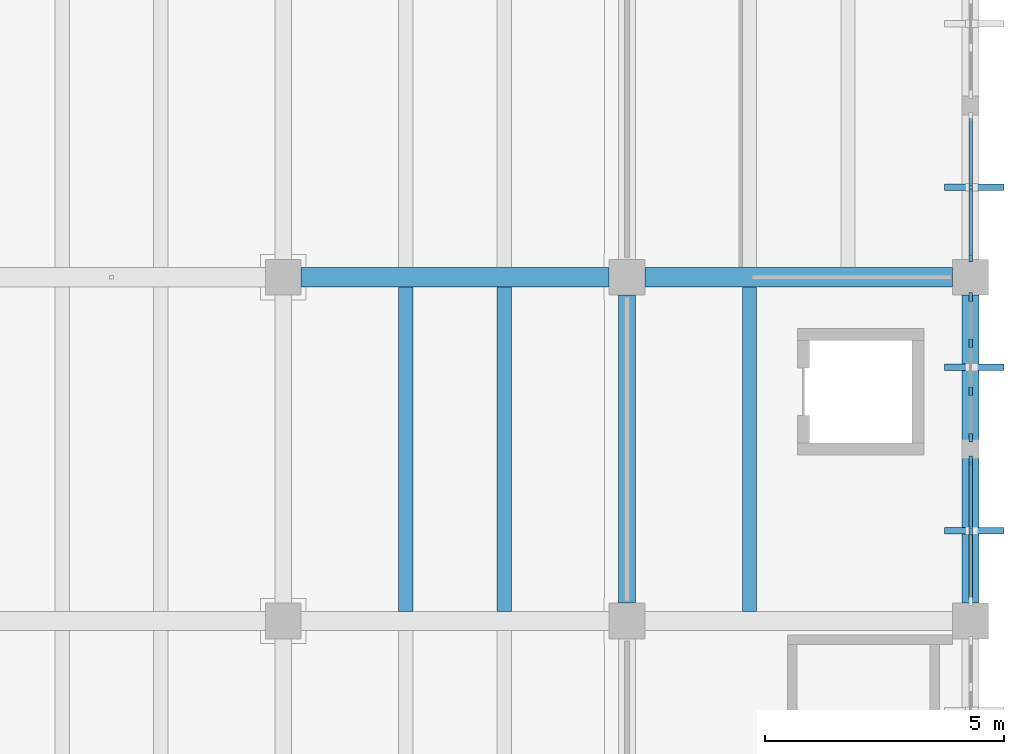
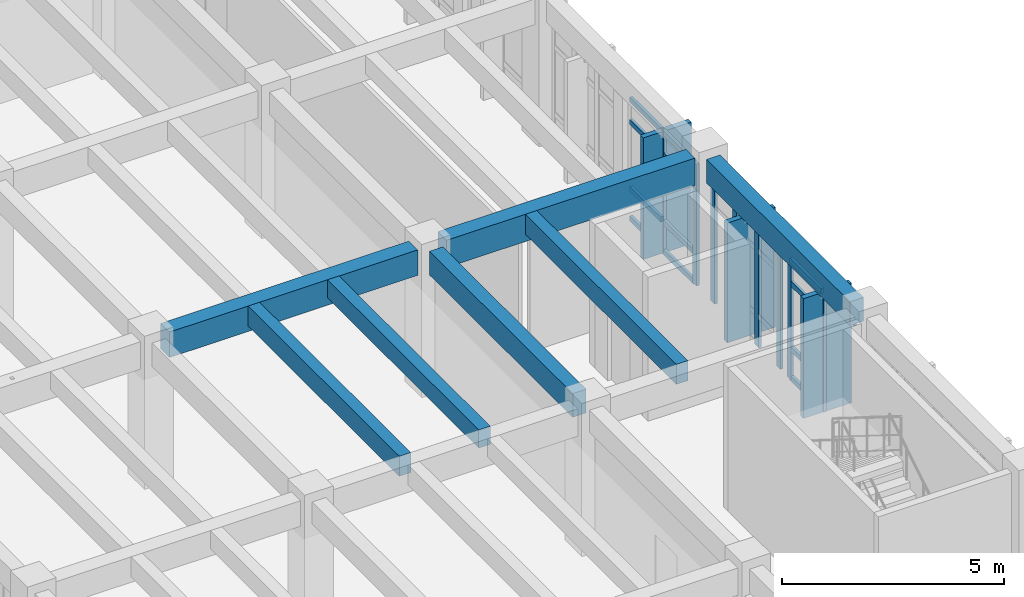
# One storey, part 57 of 136: 24 members, 7 beams, 3 elements without a shape of their own.
"""IFC4 building model written with IfcOpenShell, lengths in metres."""

from ifc_helpers import new_model, si_unit, direction, frame, origin, origin_2d, place, context, subcontext, project, spatial, rectangle, extrude, material, layer, layer_set, material_profile, profile_set, type_object, element, aggregate, save


model = new_model("IFC4")

# Units and contexts
model_context = context("Model", 3, precision=1e-05, world=origin(), true_north=direction((0.0, 1.0)))
body_context = subcontext(model_context, "Body", "Model", "MODEL_VIEW")
ifc_project = project(units=[si_unit("LENGTHUNIT", "METRE"), si_unit("AREAUNIT", "SQUARE_METRE"), si_unit("VOLUMEUNIT", "CUBIC_METRE"), si_unit("PLANEANGLEUNIT", "RADIAN"), si_unit("MASSUNIT", "GRAM", prefix="KILO")], contexts=[model_context])

# Site, building, storey
site_placement = place(None, origin())
site = spatial("IfcSite", under=ifc_project, at=site_placement, CompositionType="ELEMENT")
building_placement = place(site_placement, origin())
building = spatial("IfcBuilding", under=site, at=building_placement, Name="Koriwan Promenade Central Fire Station", CompositionType="ELEMENT")
storey_placement = place(building_placement, frame((0.0, 0.0, 5.39990234375)))
storey = spatial("IfcBuildingStorey", under=building, at=storey_placement, Name="L01", CompositionType="ELEMENT", Elevation=5.39990234375)

# Beams
ifc_material_1 = material(Name="Concrete C35/45", Category="concrete")
ifc_material_profile_1 = material_profile(ifc_material_1, rectangle(XDim=0.300048828125, YDim=0.5, at=origin_2d()), Name="RC-BM-300x500")
ifc_profile_set_1 = profile_set([ifc_material_profile_1], Name="Concrete C35/45")
beam_type_1 = type_object("IfcBeamType", Name="Beam_RC-BM-300x500", PredefinedType="JOIST", material=ifc_profile_set_1)
beam_1_placement = place(storey_placement, frame((163.031982421875, 21.800048828125, 3.7001953125), z_axis=(0.0, 1.0, 0.0), x_axis=(-1.0, 0.0, 0.0)))
element("IfcBeam", 1, at=beam_1_placement, inside=storey, type_object=beam_type_1, Name="V5 L01 secondary joist 717", PredefinedType="JOIST", context=body_context, shape_type="SweptSolid", body=[
    extrude(rectangle(XDim=0.300048828125, YDim=0.5, at=origin_2d()), origin(), (0.0, 0.0, 1.0), 6.800048828125),
])
ifc_material_profile_2 = material_profile(ifc_material_1, rectangle(XDim=0.300048828125, YDim=0.550048828125, at=origin_2d()), Name="RC-BM-300x550")
ifc_profile_set_2 = profile_set([ifc_material_profile_2], Name="Concrete C35/45")
beam_type_2 = type_object("IfcBeamType", Name="Beam_RC-BM-300x550", PredefinedType="JOIST", material=ifc_profile_set_2)
for number, where, z_axis, x_axis, name in (
    (2, (160.968017578125, 21.800048828125, 3.675048828125), (0.0, 1.0, 0.0), (-1.0, 0.0, 0.0), "V5 L01 secondary joist 716"),
    (3, (168.16796875, 21.800048828125, 3.675048828125), (0.0, 1.0, 0.0), (-1.0, 0.0, 0.0), "V5 L01 secondary joist 718"),
):
    element("IfcBeam", number, at=place(storey_placement, frame(where, z_axis=z_axis, x_axis=x_axis)), inside=storey, type_object=beam_type_2, Name=name, PredefinedType="JOIST", context=body_context, shape_type="SweptSolid", body=[
        extrude(rectangle(XDim=0.300048828125, YDim=0.550048828125, at=origin_2d()), origin(), (0.0, 0.0, 1.0), 6.800048828125),
    ])
ifc_material_profile_3 = material_profile(ifc_material_1, rectangle(XDim=0.35009765625, YDim=0.64990234375, at=origin_2d()), Name="RC-BM-350x650")
ifc_profile_set_3 = profile_set([ifc_material_profile_3], Name="Concrete C35/45")
beam_type_3 = type_object("IfcBeamType", Name="Beam_RC-BM-350x650", PredefinedType="BEAM", material=ifc_profile_set_3)
for number, where, z_axis, x_axis, name in (
    (4, (165.60009765625, 21.97509765625, 3.625), (0.0, 1.0, 0.0), (-1.0, 0.0, 0.0), "V5 L01 girder Y-683"),
    (5, (172.800048828125, 21.97509765625, 3.625), (0.0, 1.0, 0.0), (-1.0, 0.0, 0.0), "V5 L01 girder Y-693"),
):
    element("IfcBeam", number, at=place(storey_placement, frame(where, z_axis=z_axis, x_axis=x_axis)), inside=storey, type_object=beam_type_3, Name=name, PredefinedType="BEAM", context=body_context, shape_type="SweptSolid", body=[
        extrude(rectangle(XDim=0.35009765625, YDim=0.64990234375, at=origin_2d()), origin(), (0.0, 0.0, 1.0), 6.449951171875),
    ])
ifc_material_profile_4 = material_profile(ifc_material_1, rectangle(XDim=0.39990234375, YDim=0.699951171875, at=origin_2d()), Name="RC-BM-400x700")
ifc_profile_set_4 = profile_set([ifc_material_profile_4], Name="Concrete C35/45")
beam_type_4 = type_object("IfcBeamType", Name="Beam_RC-BM-400x700", PredefinedType="BEAM", material=ifc_profile_set_4)
beam_2_placement = place(storey_placement, frame((158.77490234375, 28.800048828125, 3.60009765625), z_axis=(1.0, 0.0, 0.0), x_axis=(0.0, 1.0, 0.0)))
element("IfcBeam", 6, at=beam_2_placement, inside=storey, type_object=beam_type_4, Name="V5 L01 girder X-638", PredefinedType="BEAM", context=body_context, shape_type="SweptSolid", body=[
    extrude(rectangle(XDim=0.39990234375, YDim=0.699951171875, at=origin_2d()), origin(), (0.0, 0.0, 1.0), 6.4501953125),
])
ifc_material_profile_5 = material_profile(ifc_material_1, rectangle(XDim=0.39990234375, YDim=0.75, at=origin_2d()), Name="RC-BM-400x750")
ifc_profile_set_5 = profile_set([ifc_material_profile_5], Name="Concrete C35/45")
beam_type_5 = type_object("IfcBeamType", Name="Beam_RC-BM-400x750", PredefinedType="BEAM", material=ifc_profile_set_5)
beam_3_placement = place(storey_placement, frame((165.97509765625, 28.800048828125, 3.5751953125), z_axis=(1.0, 0.0, 0.0), x_axis=(0.0, 1.0, 0.0)))
element("IfcBeam", 7, at=beam_3_placement, inside=storey, type_object=beam_type_5, Name="V5 L01 girder X-639", PredefinedType="BEAM", context=body_context, shape_type="SweptSolid", body=[
    extrude(rectangle(XDim=0.39990234375, YDim=0.75, at=origin_2d()), origin(), (0.0, 0.0, 1.0), 6.449951171875),
])

# Curtain wall, members
ifc_material_2 = material(Name="Aluminium EN AW-6063-T6 and low-E glazing", Category="aluminium")
ifc_layer_1 = layer(ifc_material_2, 0.159912109375, Name="Aluminium EN AW-6063-T6 and low-E glazing")
ifc_layer_set_1 = layer_set([ifc_layer_1], Name="Aluminium EN AW-6063-T6 and low-E glazing")
curtain_wall_type_1 = type_object("IfcCurtainWallType", Name="CurtainWall_64_303x334", PredefinedType="USERDEFINED", material=ifc_layer_set_1)
curtain_wall_1_placement = place(storey_placement, origin())
curtain_wall_1 = element("IfcCurtainWall", 8, at=curtain_wall_1_placement, inside=storey, type_object=curtain_wall_type_1, Name="V5 L01 unitised curtain wall 200", ObjectType="UNITISED CURTAIN WALL", PredefinedType="USERDEFINED")
ifc_material_3 = material(Name="Aluminium EN AW-6063-T6", Category="aluminium")
ifc_material_profile_6 = material_profile(ifc_material_3, rectangle(XDim=0.074951171875, YDim=0.179931640625, at=origin_2d()), Name="ALU-MUL-75x180")
ifc_profile_set_6 = profile_set([ifc_material_profile_6], Name="Aluminium EN AW-6063-T6")
member_type_1 = type_object("IfcMemberType", Name="CWMullion_ALU-MUL-75x180", PredefinedType="MULLION", material=ifc_profile_set_6)
member_1_placement = place(storey_placement, frame((172.800048828125, 30.6875, 0.0), z_axis=(0.0, 0.0, 1.0), x_axis=(1.0, 0.0, 0.0)))
member_1 = element("IfcMember", 9, at=member_1_placement, type_object=member_type_1, Name="CW-64 mullion 2", PredefinedType="MULLION", context=body_context, shape_type="SweptSolid", body=[
    extrude(rectangle(XDim=0.074951171875, YDim=0.179931640625, at=origin_2d()), origin(), (0.0, 0.0, 1.0), 3.340087890625),
])
member_2_placement = place(storey_placement, frame((172.800048828125, 29.21240234375, 0.0), z_axis=(0.0, 0.0, 1.0), x_axis=(1.0, 0.0, 0.0)))
member_2 = element("IfcMember", 10, at=member_2_placement, type_object=member_type_1, Name="CW-64 mullion 3", PredefinedType="MULLION", context=body_context, shape_type="SweptSolid", body=[
    extrude(rectangle(XDim=0.074951171875, YDim=0.179931640625, at=origin_2d()), origin(), (0.0, 0.0, 1.0), 3.340087890625),
])

ifc_layer_2 = layer(ifc_material_2, 0.159912109375, Name="Aluminium EN AW-6063-T6 and low-E glazing")
ifc_layer_set_2 = layer_set([ifc_layer_2], Name="Aluminium EN AW-6063-T6 and low-E glazing")
curtain_wall_type_2 = type_object("IfcCurtainWallType", Name="CurtainWall_61_303x329", PredefinedType="USERDEFINED", material=ifc_layer_set_2)
curtain_wall_2_placement = place(storey_placement, origin())
curtain_wall_2 = element("IfcCurtainWall", 11, at=curtain_wall_2_placement, inside=storey, type_object=curtain_wall_type_2, Name="V5 L01 unitised curtain wall 201", ObjectType="UNITISED CURTAIN WALL", PredefinedType="USERDEFINED")
member_3_placement = place(storey_placement, frame((172.800048828125, 28.387451171875, 0.0), z_axis=(0.0, 0.0, 1.0), x_axis=(1.0, 0.0, 0.0)))
member_3 = element("IfcMember", 12, at=member_3_placement, type_object=member_type_1, Name="CW-61 mullion 1", PredefinedType="MULLION", context=body_context, shape_type="SweptSolid", body=[
    extrude(rectangle(XDim=0.074951171875, YDim=0.179931640625, at=origin_2d()), origin(), (0.0, 0.0, 1.0), 3.2900390625),
])
member_4_placement = place(storey_placement, frame((172.800048828125, 27.416748046875, 0.0), z_axis=(0.0, 0.0, 1.0), x_axis=(1.0, 0.0, 0.0)))
member_4 = element("IfcMember", 13, at=member_4_placement, type_object=member_type_1, Name="CW-61 mullion 2", PredefinedType="MULLION", context=body_context, shape_type="SweptSolid", body=[
    extrude(rectangle(XDim=0.074951171875, YDim=0.179931640625, at=origin_2d()), origin(), (0.0, 0.0, 1.0), 3.2900390625),
])
member_5_placement = place(storey_placement, frame((172.800048828125, 26.408447265625, 0.0), z_axis=(0.0, 0.0, 1.0), x_axis=(1.0, 0.0, 0.0)))
member_5 = element("IfcMember", 14, at=member_5_placement, type_object=member_type_1, Name="CW-61 mullion 3", PredefinedType="MULLION", context=body_context, shape_type="SweptSolid", body=[
    extrude(rectangle(XDim=0.074951171875, YDim=0.179931640625, at=origin_2d()), origin(), (0.0, 0.0, 1.0), 3.2900390625),
])
member_6_placement = place(storey_placement, frame((172.800048828125, 25.4375, 0.0), z_axis=(0.0, 0.0, 1.0), x_axis=(1.0, 0.0, 0.0)))
member_6 = element("IfcMember", 15, at=member_6_placement, type_object=member_type_1, Name="CW-61 mullion 4", PredefinedType="MULLION", context=body_context, shape_type="SweptSolid", body=[
    extrude(rectangle(XDim=0.074951171875, YDim=0.179931640625, at=origin_2d()), origin(), (0.0, 0.0, 1.0), 3.2900390625),
])
aggregate(curtain_wall_2, [member_3, member_4, member_5, member_6])

ifc_layer_3 = layer(ifc_material_2, 0.159912109375, Name="Aluminium EN AW-6063-T6 and low-E glazing")
ifc_layer_set_3 = layer_set([ifc_layer_3], Name="Aluminium EN AW-6063-T6 and low-E glazing")
curtain_wall_type_3 = type_object("IfcCurtainWallType", Name="CurtainWall_07_302x329", PredefinedType="USERDEFINED", material=ifc_layer_set_3)
curtain_wall_3_placement = place(storey_placement, origin())
curtain_wall_3 = element("IfcCurtainWall", 16, at=curtain_wall_3_placement, inside=storey, type_object=curtain_wall_type_3, Name="V5 L01 unitised curtain wall 202", ObjectType="UNITISED CURTAIN WALL", PredefinedType="USERDEFINED")
member_7_placement = place(storey_placement, frame((172.800048828125, 24.96240234375, 0.0), z_axis=(0.0, 0.0, 1.0), x_axis=(1.0, 0.0, 0.0)))
member_7 = element("IfcMember", 17, at=member_7_placement, type_object=member_type_1, Name="CW-07 mullion 1", PredefinedType="MULLION", context=body_context, shape_type="SweptSolid", body=[
    extrude(rectangle(XDim=0.074951171875, YDim=0.179931640625, at=origin_2d()), origin(), (0.0, 0.0, 1.0), 3.2900390625),
])
member_8_placement = place(storey_placement, frame((172.800048828125, 23.487548828125, 0.0), z_axis=(0.0, 0.0, 1.0), x_axis=(1.0, 0.0, 0.0)))
member_8 = element("IfcMember", 18, at=member_8_placement, type_object=member_type_1, Name="CW-07 mullion 2", PredefinedType="MULLION", context=body_context, shape_type="SweptSolid", body=[
    extrude(rectangle(XDim=0.074951171875, YDim=0.179931640625, at=origin_2d()), origin(), (0.0, 0.0, 1.0), 3.2900390625),
])

# Member
ifc_material_profile_7 = material_profile(ifc_material_3, rectangle(XDim=0.074951171875, YDim=0.139892578125, at=origin_2d()), Name="ALU-TRN-75x140")
ifc_profile_set_7 = profile_set([ifc_material_profile_7], Name="Aluminium EN AW-6063-T6")
member_type_2 = type_object("IfcMemberType", Name="CWTransom_ALU-TRN-75x140", PredefinedType="USERDEFINED", material=ifc_profile_set_7)
member_9_placement = place(storey_placement, frame((172.800048828125, 32.125, 0.03759765625), z_axis=(0.0, -1.0, 0.0), x_axis=(1.0, 0.0, 0.0)))
member_9 = element("IfcMember", 19, at=member_9_placement, type_object=member_type_2, Name="CW-64 transom 1.1", ObjectType="TRANSOM", PredefinedType="USERDEFINED", context=body_context, shape_type="SweptSolid", body=[
    extrude(rectangle(XDim=0.074951171875, YDim=0.139892578125, at=origin_2d()), origin(), (0.0, 0.0, 1.0), 1.39990234375),
])

member_10_placement = place(storey_placement, frame((172.800048828125, 32.125, 0.85009765625), z_axis=(0.0, -1.0, 0.0), x_axis=(1.0, 0.0, 0.0)))
member_10 = element("IfcMember", 20, at=member_10_placement, type_object=member_type_2, Name="CW-64 transom 1.2", ObjectType="TRANSOM", PredefinedType="USERDEFINED", context=body_context, shape_type="SweptSolid", body=[
    extrude(rectangle(XDim=0.074951171875, YDim=0.139892578125, at=origin_2d()), origin(), (0.0, 0.0, 1.0), 1.39990234375),
])

member_11_placement = place(storey_placement, frame((172.800048828125, 32.125, 2.690185546875), z_axis=(0.0, -1.0, 0.0), x_axis=(1.0, 0.0, 0.0)))
member_11 = element("IfcMember", 21, at=member_11_placement, type_object=member_type_2, Name="CW-64 transom 1.3", ObjectType="TRANSOM", PredefinedType="USERDEFINED", context=body_context, shape_type="SweptSolid", body=[
    extrude(rectangle(XDim=0.074951171875, YDim=0.139892578125, at=origin_2d()), origin(), (0.0, 0.0, 1.0), 1.39990234375),
])

member_12_placement = place(storey_placement, frame((172.800048828125, 32.125, 3.302490234375), z_axis=(0.0, -1.0, 0.0), x_axis=(1.0, 0.0, 0.0)))
member_12 = element("IfcMember", 22, at=member_12_placement, type_object=member_type_2, Name="CW-64 transom 1.4", ObjectType="TRANSOM", PredefinedType="USERDEFINED", context=body_context, shape_type="SweptSolid", body=[
    extrude(rectangle(XDim=0.074951171875, YDim=0.139892578125, at=origin_2d()), origin(), (0.0, 0.0, 1.0), 1.39990234375),
])

member_13_placement = place(storey_placement, frame((172.800048828125, 30.64990234375, 0.03759765625), z_axis=(0.0, -1.0, 0.0), x_axis=(1.0, 0.0, 0.0)))
member_13 = element("IfcMember", 23, at=member_13_placement, type_object=member_type_2, Name="CW-64 transom 2.1", ObjectType="TRANSOM", PredefinedType="USERDEFINED", context=body_context, shape_type="SweptSolid", body=[
    extrude(rectangle(XDim=0.074951171875, YDim=0.139892578125, at=origin_2d()), origin(), (0.0, 0.0, 1.0), 1.39990234375),
])

member_14_placement = place(storey_placement, frame((172.800048828125, 30.64990234375, 0.85009765625), z_axis=(0.0, -1.0, 0.0), x_axis=(1.0, 0.0, 0.0)))
member_14 = element("IfcMember", 24, at=member_14_placement, type_object=member_type_2, Name="CW-64 transom 2.2", ObjectType="TRANSOM", PredefinedType="USERDEFINED", context=body_context, shape_type="SweptSolid", body=[
    extrude(rectangle(XDim=0.074951171875, YDim=0.139892578125, at=origin_2d()), origin(), (0.0, 0.0, 1.0), 1.39990234375),
])

member_15_placement = place(storey_placement, frame((172.800048828125, 30.64990234375, 2.690185546875), z_axis=(0.0, -1.0, 0.0), x_axis=(1.0, 0.0, 0.0)))
member_15 = element("IfcMember", 25, at=member_15_placement, type_object=member_type_2, Name="CW-64 transom 2.3", ObjectType="TRANSOM", PredefinedType="USERDEFINED", context=body_context, shape_type="SweptSolid", body=[
    extrude(rectangle(XDim=0.074951171875, YDim=0.139892578125, at=origin_2d()), origin(), (0.0, 0.0, 1.0), 1.39990234375),
])

member_16_placement = place(storey_placement, frame((172.800048828125, 30.64990234375, 3.302490234375), z_axis=(0.0, -1.0, 0.0), x_axis=(1.0, 0.0, 0.0)))
member_16 = element("IfcMember", 26, at=member_16_placement, type_object=member_type_2, Name="CW-64 transom 2.4", ObjectType="TRANSOM", PredefinedType="USERDEFINED", context=body_context, shape_type="SweptSolid", body=[
    extrude(rectangle(XDim=0.074951171875, YDim=0.139892578125, at=origin_2d()), origin(), (0.0, 0.0, 1.0), 1.39990234375),
])

aggregate(curtain_wall_1, [member_1, member_2, member_9, member_10, member_11, member_12, member_13, member_14, member_15, member_16])

member_17_placement = place(storey_placement, frame((172.800048828125, 24.925048828125, 0.03759765625), z_axis=(0.0, -1.0, 0.0), x_axis=(1.0, 0.0, 0.0)))
member_17 = element("IfcMember", 27, at=member_17_placement, type_object=member_type_2, Name="CW-07 transom 1.1", ObjectType="TRANSOM", PredefinedType="USERDEFINED", context=body_context, shape_type="SweptSolid", body=[
    extrude(rectangle(XDim=0.074951171875, YDim=0.139892578125, at=origin_2d()), origin(), (0.0, 0.0, 1.0), 1.400146484375),
])

member_18_placement = place(storey_placement, frame((172.800048828125, 24.925048828125, 0.85009765625), z_axis=(0.0, -1.0, 0.0), x_axis=(1.0, 0.0, 0.0)))
member_18 = element("IfcMember", 28, at=member_18_placement, type_object=member_type_2, Name="CW-07 transom 1.2", ObjectType="TRANSOM", PredefinedType="USERDEFINED", context=body_context, shape_type="SweptSolid", body=[
    extrude(rectangle(XDim=0.074951171875, YDim=0.139892578125, at=origin_2d()), origin(), (0.0, 0.0, 1.0), 1.400146484375),
])

member_19_placement = place(storey_placement, frame((172.800048828125, 24.925048828125, 2.64013671875), z_axis=(0.0, -1.0, 0.0), x_axis=(1.0, 0.0, 0.0)))
member_19 = element("IfcMember", 29, at=member_19_placement, type_object=member_type_2, Name="CW-07 transom 1.3", ObjectType="TRANSOM", PredefinedType="USERDEFINED", context=body_context, shape_type="SweptSolid", body=[
    extrude(rectangle(XDim=0.074951171875, YDim=0.139892578125, at=origin_2d()), origin(), (0.0, 0.0, 1.0), 1.400146484375),
])

member_20_placement = place(storey_placement, frame((172.800048828125, 24.925048828125, 3.252685546875), z_axis=(0.0, -1.0, 0.0), x_axis=(1.0, 0.0, 0.0)))
member_20 = element("IfcMember", 30, at=member_20_placement, type_object=member_type_2, Name="CW-07 transom 1.4", ObjectType="TRANSOM", PredefinedType="USERDEFINED", context=body_context, shape_type="SweptSolid", body=[
    extrude(rectangle(XDim=0.074951171875, YDim=0.139892578125, at=origin_2d()), origin(), (0.0, 0.0, 1.0), 1.400146484375),
])

member_21_placement = place(storey_placement, frame((172.800048828125, 23.449951171875, 3.252685546875), z_axis=(0.0, -1.0, 0.0), x_axis=(1.0, 0.0, 0.0)))
member_21 = element("IfcMember", 31, at=member_21_placement, type_object=member_type_2, Name="CW-07 transom 2.4", ObjectType="TRANSOM", PredefinedType="USERDEFINED", context=body_context, shape_type="SweptSolid", body=[
    extrude(rectangle(XDim=0.074951171875, YDim=0.139892578125, at=origin_2d()), origin(), (0.0, 0.0, 1.0), 1.39990234375),
])

aggregate(curtain_wall_3, [member_7, member_8, member_17, member_18, member_19, member_20, member_21])

# Members
ifc_material_4 = material(Name="Aluminium EN AW-6063-T6 terracotta finish", Category="masonry")
ifc_material_profile_8 = material_profile(ifc_material_4, rectangle(XDim=0.139892578125, YDim=1.25, at=origin_2d()), Name="FIN-TRC-140x1250")
ifc_profile_set_8 = profile_set([ifc_material_profile_8], Name="Aluminium EN AW-6063-T6 terracotta finish")
member_type_3 = type_object("IfcMemberType", Name="SolarFin_FIN-TRC-140x1250", PredefinedType="USERDEFINED", material=ifc_profile_set_8)
member_22_placement = place(storey_placement, frame((172.875, 30.6875, 0.0), z_axis=(0.0, 0.0, 1.0), x_axis=(0.0, -1.0, 0.0)))
element("IfcMember", 32, at=member_22_placement, inside=storey, type_object=member_type_3, Name="V5 L01 terracotta solar fin 050", ObjectType="SOLAR FIN", PredefinedType="USERDEFINED", context=body_context, shape_type="SweptSolid", body=[
    extrude(rectangle(XDim=0.139892578125, YDim=1.25, at=origin_2d()), origin(), (0.0, 0.0, 1.0), 3.340087890625),
])
for number, where, z_axis, x_axis, name in (
    (33, (172.875, 26.91259765625, 0.0), (0.0, 0.0, 1.0), (0.0, -1.0, 0.0), "V5 L01 terracotta solar fin 051"),
    (34, (172.875, 23.487548828125, 0.0), (0.0, 0.0, 1.0), (0.0, -1.0, 0.0), "V5 L01 terracotta solar fin 052"),
):
    element("IfcMember", number, at=place(storey_placement, frame(where, z_axis=z_axis, x_axis=x_axis)), inside=storey, type_object=member_type_3, Name=name, ObjectType="SOLAR FIN", PredefinedType="USERDEFINED", context=body_context, shape_type="SweptSolid", body=[
        extrude(rectangle(XDim=0.139892578125, YDim=1.25, at=origin_2d()), origin(), (0.0, 0.0, 1.0), 3.2900390625),
    ])

save(model, "model.ifc")
